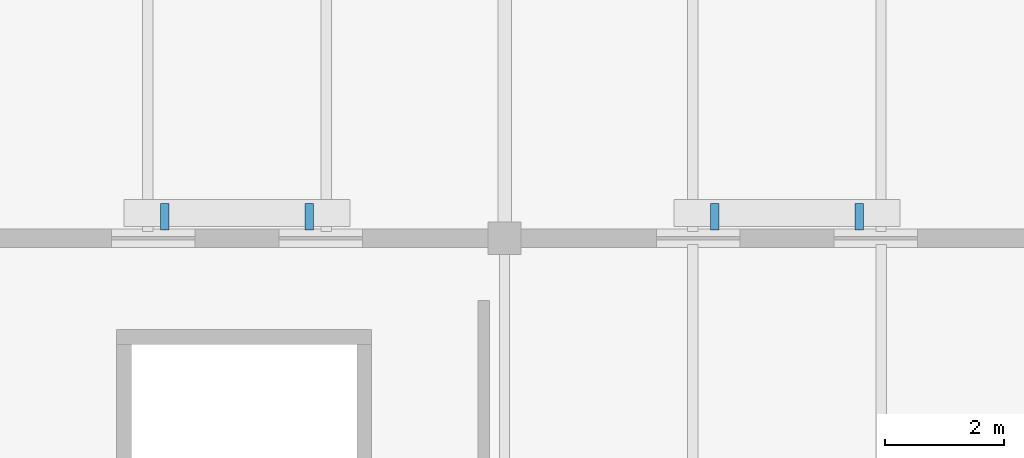
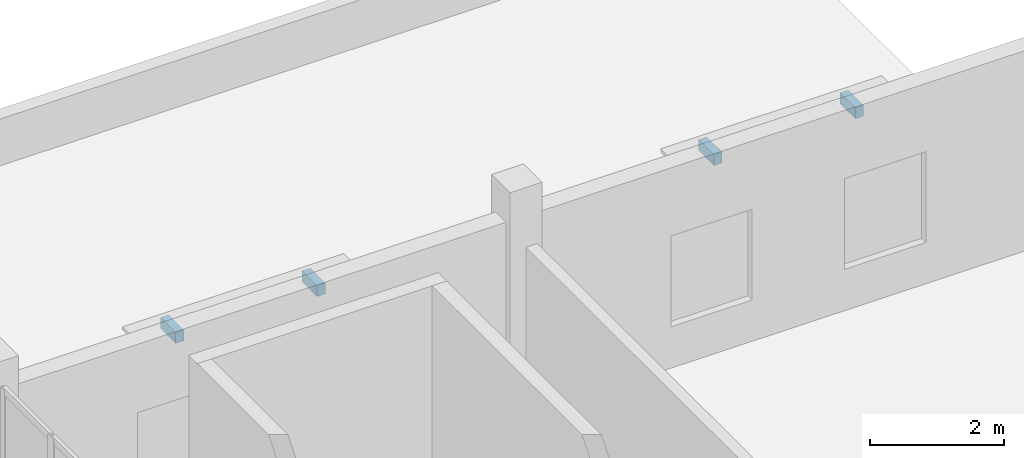
# One storey, part 47 of 54: 4 discrete accessories.
"""IFC4 building model written with IfcOpenShell, lengths in metres."""

from ifc_helpers import new_model, si_unit, direction, frame, origin, origin_2d, place, context, subcontext, project, spatial, rectangle, extrude, material, type_object, element, save


model = new_model("IFC4")

# Units and contexts
model_context = context("Model", 3, precision=1e-05, world=origin(), true_north=direction((0.0, 1.0)))
body_context = subcontext(model_context, "Body", "Model", "MODEL_VIEW")
ifc_project = project(units=[si_unit("LENGTHUNIT", "METRE"), si_unit("AREAUNIT", "SQUARE_METRE"), si_unit("VOLUMEUNIT", "CUBIC_METRE"), si_unit("PLANEANGLEUNIT", "RADIAN"), si_unit("MASSUNIT", "GRAM", prefix="KILO")], contexts=[model_context])

# Site, building, storey
site_placement = place(None, origin())
site = spatial("IfcSite", under=ifc_project, at=site_placement, CompositionType="ELEMENT")
building_placement = place(site_placement, origin())
building = spatial("IfcBuilding", under=site, at=building_placement, Name="Marnock Terrace Opera House", CompositionType="ELEMENT")
storey_placement = place(building_placement, frame((0.0, 0.0, 19.199951171875)))
storey = spatial("IfcBuildingStorey", under=building, at=storey_placement, Name="L04", CompositionType="ELEMENT", Elevation=19.199951171875)

# Discrete accessories
ifc_material = material(Name="Galvanised architectural steel framing", Category="steel")
discrete_accessory_type = type_object("IfcDiscreteAccessoryType", Name="ACC-BRACKET-450", PredefinedType="BRACKET", material=ifc_material)
for number, where, z_axis, x_axis, name in (
    (1, (139.283935546875, 84.860107421875, 3.19287109375), (0.0, 0.0, 1.0), (1.0, 0.0, 0.0), "Brise-soleil support bracket EW-V5N-L04-1.A"),
    (2, (141.716064453125, 84.860107421875, 3.19287109375), (0.0, 0.0, 1.0), (1.0, 0.0, 0.0), "Brise-soleil support bracket EW-V5N-L04-1.B"),
    (3, (148.533935546875, 84.860107421875, 3.1884765625), (0.0, 0.0, 1.0), (1.0, 0.0, 0.0), "Brise-soleil support bracket EW-V5N-L04-2.A"),
    (4, (150.966064453125, 84.860107421875, 3.1884765625), (0.0, 0.0, 1.0), (1.0, 0.0, 0.0), "Brise-soleil support bracket EW-V5N-L04-2.B"),
):
    element("IfcDiscreteAccessory", number, at=place(storey_placement, frame(where, z_axis=z_axis, x_axis=x_axis)), inside=storey, type_object=discrete_accessory_type, Name=name, PredefinedType="BRACKET", context=body_context, shape_type="SweptSolid", body=[
        extrude(rectangle(XDim=0.139892578125, YDim=0.449951171875, at=origin_2d()), origin(), (0.0, 0.0, 1.0), 0.199951171875),
    ])

save(model, "model.ifc")
